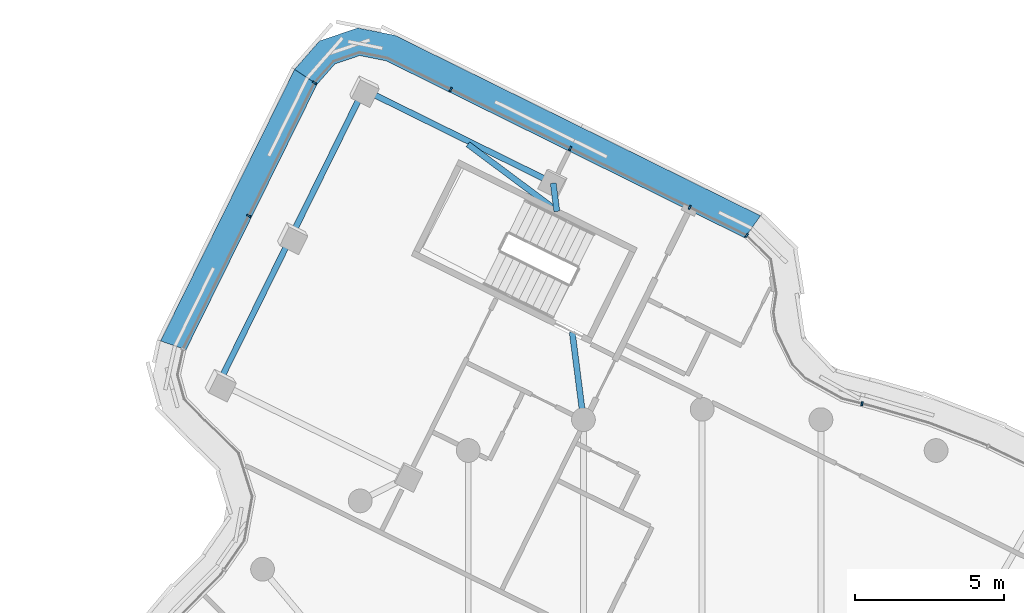
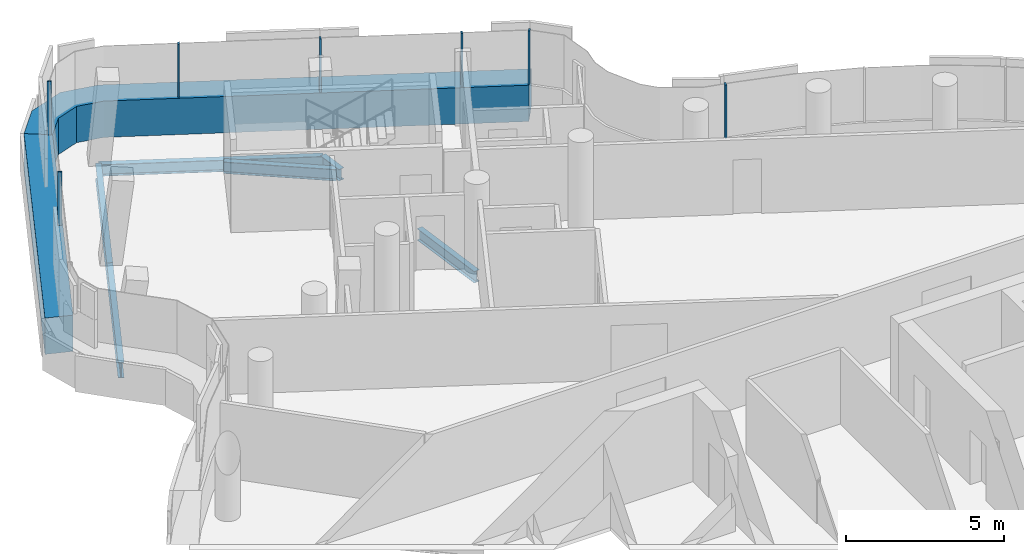
# One storey, part 10 of 21: 9 members, 6 beams, 3 elements without a shape of their own.
"""IFC4 building model written with IfcOpenShell, lengths in metres."""

import ifcopenshell
import ifcopenshell.guid

model = None  # the IFC model being written
_history = None  # IfcOwnerHistory: only IFC2X3 demands one
_inside = {}  # id of a spatial element -> (the spatial element, [elements in it])
_under = {}  # id of a project, library or spatial element -> (it, [spatial elements below it])
_declared = {}  # id of a project -> (the project, [libraries it declares])
_typed = {}  # id of a type object -> (the type object, [elements of that type])
_made_of = {}  # id of a material, layer set ... -> (it, [elements and type objects made of it])


def new_model(schema):
    """Start an empty IFC model of exactly this schema.

    Asked for "IFC4X3", IfcOpenShell would pick the latest addendum, in which some entities
    have other attributes; the version numbers below select the first issue.
    IFC2X3 requires an IfcOwnerHistory on every rooted entity: one is made here for all.
    """
    global model, _history
    if schema == "IFC4X3":
        model = ifcopenshell.file(schema_version=(4, 3, 0, 0))
    else:
        model = ifcopenshell.file(schema=schema)
    _inside.clear()
    _under.clear()
    _declared.clear()
    _typed.clear()
    _made_of.clear()
    _history = None
    if model.schema == "IFC2X3":
        org = make("IfcOrganization", Name="unknown")
        user = make(
            "IfcPersonAndOrganization",
            ThePerson=make("IfcPerson", FamilyName="unknown"),
            TheOrganization=org,
        )
        app = make(
            "IfcApplication",
            ApplicationDeveloper=org,
            Version="unknown",
            ApplicationFullName="unknown",
            ApplicationIdentifier="unknown",
        )
        _history = make(
            "IfcOwnerHistory",
            OwningUser=user,
            OwningApplication=app,
            ChangeAction="ADDED",
            CreationDate=0,
        )
    return model


def make(cls, **values):
    """One entity of the class cls with the attributes given. An attribute that is None is left unset."""
    return model.create_entity(
        cls, **{name: value for name, value in values.items() if value is not None}
    )


def rooted(cls, **values):
    """An entity with a GlobalId (a new one), such as an element, a storey or a relation."""
    return make(cls, GlobalId=ifcopenshell.guid.new(), OwnerHistory=_history, **values)


def si_unit(unit_type, name, prefix=None):
    """IfcSIUnit, for example si_unit("LENGTHUNIT", "METRE", prefix="MILLI")."""
    return make("IfcSIUnit", UnitType=unit_type, Prefix=prefix, Name=name)


def assignment(units):
    """IfcUnitAssignment: the units of a project."""
    return None if units is None else make("IfcUnitAssignment", Units=units)


def point(xyz):
    """IfcCartesianPoint."""
    return None if xyz is None else make("IfcCartesianPoint", Coordinates=xyz)


def direction(xyz):
    """IfcDirection."""
    return None if xyz is None else make("IfcDirection", DirectionRatios=xyz)


def frame(location, z_axis=None, x_axis=None):
    """IfcAxis2Placement3D, a coordinate frame: its origin and axes. An axis left out is left unset."""
    return make(
        "IfcAxis2Placement3D",
        Location=point(location),
        Axis=direction(z_axis),
        RefDirection=direction(x_axis),
    )


def frame_2d(location, x_axis=None):
    """IfcAxis2Placement2D, a coordinate frame in the plane: its origin and x axis."""
    return make(
        "IfcAxis2Placement2D", Location=point(location), RefDirection=direction(x_axis)
    )


def origin():
    """The frame at (0, 0, 0) with its axes left unset."""
    return frame((0.0, 0.0, 0.0))


def origin_2d():
    """The frame at (0, 0) in the plane with its x axis left unset."""
    return frame_2d((0.0, 0.0))


def place(relative_to, where):
    """IfcLocalPlacement: puts the frame where relative to a parent placement (None: the world)."""
    return make(
        "IfcLocalPlacement", PlacementRelTo=relative_to, RelativePlacement=where
    )


def context(
    kind, dimensions, precision=None, world=None, true_north=None, identifier=None
):
    """IfcGeometricRepresentationContext, for example the 3D "Model" context."""
    return make(
        "IfcGeometricRepresentationContext",
        ContextIdentifier=identifier,
        ContextType=kind,
        CoordinateSpaceDimension=dimensions,
        Precision=precision,
        WorldCoordinateSystem=world,
        TrueNorth=true_north,
    )


def subcontext(parent, identifier, kind, view, scale=None):
    """IfcGeometricRepresentationSubContext, for example "Body" below "Model"."""
    return make(
        "IfcGeometricRepresentationSubContext",
        ContextIdentifier=identifier,
        ContextType=kind,
        ParentContext=parent,
        TargetScale=scale,
        TargetView=view,
    )


def project(units=None, contexts=None):
    """IfcProject with its units and contexts."""
    return rooted(
        "IfcProject",
        Name="project",
        RepresentationContexts=contexts,
        UnitsInContext=assignment(units),
    )


def spatial(cls, under=None, at=None, **own):
    """A site, building, storey or space (cls), placed at a placement, below another one or the project."""
    s = rooted(cls, ObjectPlacement=at, **own)
    if under is not None:
        _under.setdefault(under.id(), (under, []))[1].append(s)
    return s


def polyline(points):
    """IfcPolyline through the points."""
    return make("IfcPolyline", Points=[point(p) for p in points])


def profile(cls, at=None, kind="AREA", **sizes):
    """A parametric profile (cls). Its sizes go by their IFC names, for example OverallWidth=200.0."""
    return make(cls, ProfileType=kind, Position=at, **sizes)


def rectangle(**sizes):
    """IfcRectangleProfileDef."""
    return profile("IfcRectangleProfileDef", **sizes)


def i_section(**sizes):
    """IfcIShapeProfileDef."""
    return profile("IfcIShapeProfileDef", **sizes)


def outline(outer, holes=None, kind="AREA"):
    """IfcArbitraryClosedProfileDef: a profile drawn as a closed curve; with holes, ...WithVoids."""
    if holes is None:
        return make("IfcArbitraryClosedProfileDef", ProfileType=kind, OuterCurve=outer)
    return make(
        "IfcArbitraryProfileDefWithVoids",
        ProfileType=kind,
        OuterCurve=outer,
        InnerCurves=holes,
    )


def extrude(swept, where, along, depth):
    """IfcExtrudedAreaSolid: the profile swept, set in the frame where, extruded along a direction by depth."""
    return make(
        "IfcExtrudedAreaSolid",
        SweptArea=swept,
        Position=where,
        ExtrudedDirection=direction(along),
        Depth=depth,
    )


def shape(context_of_items, identifier, shape_type, items):
    """IfcShapeRepresentation: the items that make up one representation, for example the "Body"."""
    return make(
        "IfcShapeRepresentation",
        ContextOfItems=context_of_items,
        RepresentationIdentifier=identifier,
        RepresentationType=shape_type,
        Items=items,
    )


def material(Name=None, Category=None):
    """IfcMaterial."""
    return make("IfcMaterial", Name=Name, Category=Category)


def layer(
    of_material, thickness, ventilated=None, Name=None, Category=None, Priority=None
):
    """IfcMaterialLayer: one layer of a wall or slab, of a material (None: an air gap)."""
    return make(
        "IfcMaterialLayer",
        Material=of_material,
        LayerThickness=thickness,
        IsVentilated=ventilated,
        Name=Name,
        Category=Category,
        Priority=Priority,
    )


def layer_set(layers, Name=None):
    """IfcMaterialLayerSet."""
    return make("IfcMaterialLayerSet", MaterialLayers=layers, LayerSetName=Name)


def material_profile(
    of_material, cross_section, Name=None, Category=None, Priority=None
):
    """IfcMaterialProfile: a cross section and its material."""
    return make(
        "IfcMaterialProfile",
        Name=Name,
        Material=of_material,
        Profile=cross_section,
        Priority=Priority,
        Category=Category,
    )


def profile_set(profiles, Name=None, composite=None):
    """IfcMaterialProfileSet."""
    return make(
        "IfcMaterialProfileSet",
        Name=Name,
        MaterialProfiles=profiles,
        CompositeProfile=composite,
    )


def made_of(thing, what):
    """Note that an element or type object is made of a material, layer set ...; save() writes the relation."""
    if what is not None:
        _made_of.setdefault(what.id(), (what, []))[1].append(thing)
    return thing


def type_object(cls, material=None, **own):
    """A type object (cls), such as IfcWallType, which elements share."""
    return made_of(rooted(cls, **own), material)


def element(
    cls,
    number,
    at=None,
    inside=None,
    cuts=None,
    type_object=None,
    material=None,
    context=None,
    identifier="Body",
    shape_type=None,
    held_by="IfcProductDefinitionShape",
    body=None,
    shapes=None,
    **own,
):
    """One element of the class cls, such as IfcWall. Its Tag is "e" and its number.

    at: its placement. inside: the storey or other place that contains it. cuts: it is an
    opening in that element (IfcRelVoidsElement). A single representation is given by context,
    identifier, shape_type and body (its items); several are given by shapes. held_by: the class
    of the entity that holds the representations. save() writes the other relations.
    """
    e = rooted(cls, Tag="e%d" % number, ObjectPlacement=at, **own)
    if body is not None:
        shapes = [shape(context, identifier, shape_type, body)]
    if shapes is not None:
        e.Representation = make(held_by, Representations=shapes)
    if inside is not None:
        _inside.setdefault(inside.id(), (inside, []))[1].append(e)
    if cuts is not None:
        rooted(
            "IfcRelVoidsElement", RelatingBuildingElement=cuts, RelatedOpeningElement=e
        )
    if type_object is not None:
        _typed.setdefault(type_object.id(), (type_object, []))[1].append(e)
    return made_of(e, material)


def aggregate(whole, parts):
    """IfcRelAggregates: a whole, such as a stair, and the parts it consists of."""
    return rooted("IfcRelAggregates", RelatingObject=whole, RelatedObjects=parts)


def save(model, path):
    """Write the relations noted so far, then the file.

    IfcRelAggregates (storeys below a building ...), IfcRelContainedInSpatialStructure (elements
    in a storey), IfcRelDefinesByType, IfcRelAssociatesMaterial and IfcRelDeclares: one each for
    every whole, place, type object, material and project.
    """
    for whole, parts in _under.values():
        aggregate(whole, parts)
    for where, things in _inside.values():
        rooted(
            "IfcRelContainedInSpatialStructure",
            RelatedElements=things,
            RelatingStructure=where,
        )
    for kind, things in _typed.values():
        rooted("IfcRelDefinesByType", RelatedObjects=things, RelatingType=kind)
    for what, things in _made_of.values():
        rooted("IfcRelAssociatesMaterial", RelatedObjects=things, RelatingMaterial=what)
    for by, libraries in _declared.values():
        rooted("IfcRelDeclares", RelatingContext=by, RelatedDefinitions=libraries)
    model.write(path)


model = new_model("IFC4")

# Units and contexts
model_context = context("Model", 3, precision=1e-05, world=origin(), true_north=direction((0.0, 1.0)))
body_context = subcontext(model_context, "Body", "Model", "MODEL_VIEW")
ifc_project = project(units=[si_unit("LENGTHUNIT", "METRE"), si_unit("AREAUNIT", "SQUARE_METRE"), si_unit("VOLUMEUNIT", "CUBIC_METRE"), si_unit("PLANEANGLEUNIT", "RADIAN"), si_unit("MASSUNIT", "GRAM", prefix="KILO")], contexts=[model_context])

# Site, building, storey
site_placement = place(None, origin())
site = spatial("IfcSite", under=ifc_project, at=site_placement, CompositionType="ELEMENT")
building_placement = place(site_placement, origin())
building = spatial("IfcBuilding", under=site, at=building_placement, Name="Tamarind Cross Interchange Tower", CompositionType="ELEMENT")
storey_placement = place(building_placement, frame((0.0, 0.0, 264.0)))
storey = spatial("IfcBuildingStorey", under=building, at=storey_placement, Name="L67", CompositionType="ELEMENT", Elevation=264.0)

# Beams
ifc_material_1 = material(Name="Steel Q355B", Category="steel")
ifc_material_profile_1 = material_profile(ifc_material_1, i_section(OverallWidth=0.198974609375, OverallDepth=0.446044921875, WebThickness=0.008056640625, FlangeThickness=0.011962890625, FilletRadius=0.012939453125, at=origin_2d()), Name="HN 446x199x8x12")
ifc_profile_set_1 = profile_set([ifc_material_profile_1], Name="Steel Q355B")
beam_type_1 = type_object("IfcBeamType", Name="Composite beam HN 446x199x8x12 Q355B", PredefinedType="BEAM", material=ifc_profile_set_1)
beam_1_placement = place(storey_placement, frame((-11.382080078125, 33.75048828125, -0.363037109375), z_axis=(0.896744088641, -0.44254947688, 0.0), x_axis=(0.44254947688, 0.896744088641, 0.0)))
element("IfcBeam", 1, at=beam_1_placement, inside=storey, type_object=beam_type_1, Name="Beam N-edgeem4", PredefinedType="BEAM", context=body_context, shape_type="SweptSolid", body=[
    extrude(i_section(OverallWidth=0.198974609375, OverallDepth=0.446044921875, WebThickness=0.008056640625, FlangeThickness=0.011962890625, FilletRadius=0.012939453125, at=origin_2d()), origin(), (0.0, 0.0, 1.0), 7.107177734375),
])
beam_2_placement = place(storey_placement, frame((-5.0087890625, 30.605224609375, -0.363037109375), z_axis=(0.126445462841, -0.991973560599, 0.0), x_axis=(0.991973560599, 0.126445462841, 0.0)))
element("IfcBeam", 2, at=beam_2_placement, inside=storey, type_object=beam_type_1, Name="Beam N-linkemt0", PredefinedType="BEAM", context=body_context, shape_type="SweptSolid", body=[
    extrude(i_section(OverallWidth=0.198974609375, OverallDepth=0.446044921875, WebThickness=0.008056640625, FlangeThickness=0.011962890625, FilletRadius=0.012939453125, at=origin_2d()), origin(), (0.0, 0.0, 1.0), 0.959716796875),
])
beam_3_placement = place(storey_placement, frame((-4.37109375, 25.60693359375, -0.363037109375), z_axis=(0.12656500108, -0.991958315909, 0.0), x_axis=(0.991958315909, 0.12656500108, 0.0)))
element("IfcBeam", 3, at=beam_3_placement, inside=storey, type_object=beam_type_1, Name="Beam N-linkemt1", PredefinedType="BEAM", context=body_context, shape_type="SweptSolid", body=[
    extrude(i_section(OverallWidth=0.198974609375, OverallDepth=0.446044921875, WebThickness=0.008056640625, FlangeThickness=0.011962890625, FilletRadius=0.012939453125, at=origin_2d()), origin(), (0.0, 0.0, 1.0), 2.980224609375),
])
beam_4_placement = place(storey_placement, frame((-5.001953125, 29.765625, -0.363037109375), z_axis=(-0.801638530853, 0.597809054675, 0.0), x_axis=(-0.597809054675, -0.801638530853, 0.0)))
element("IfcBeam", 4, at=beam_4_placement, inside=storey, type_object=beam_type_1, Name="Beam N-tr0s1", PredefinedType="BEAM", context=body_context, shape_type="SweptSolid", body=[
    extrude(i_section(OverallWidth=0.198974609375, OverallDepth=0.446044921875, WebThickness=0.008056640625, FlangeThickness=0.011962890625, FilletRadius=0.012939453125, at=origin_2d()), origin(), (0.0, 0.0, 1.0), 3.58740234375),
])
ifc_material_profile_2 = material_profile(ifc_material_1, i_section(OverallWidth=0.198974609375, OverallDepth=0.595947265625, WebThickness=0.010009765625, FlangeThickness=0.014892578125, FilletRadius=0.012939453125, at=origin_2d()), Name="HN 596x199x10x15")
ifc_profile_set_2 = profile_set([ifc_material_profile_2], Name="Steel Q355B")
beam_type_2 = type_object("IfcBeamType", Name="Composite beam HN 596x199x10x15 Q355B", PredefinedType="BEAM", material=ifc_profile_set_2)
beam_5_placement = place(storey_placement, frame((-11.382080078125, 33.75048828125, -0.43798828125), z_axis=(-0.442573224785, -0.896732368493, 0.0), x_axis=(0.896732368493, -0.442573224785, 0.0)))
element("IfcBeam", 5, at=beam_5_placement, inside=storey, type_object=beam_type_2, Name="Beam N-tip0", PredefinedType="BEAM", context=body_context, shape_type="SweptSolid", body=[
    extrude(i_section(OverallWidth=0.198974609375, OverallDepth=0.595947265625, WebThickness=0.010009765625, FlangeThickness=0.014892578125, FilletRadius=0.012939453125, at=origin_2d()), origin(), (0.0, 0.0, 1.0), 5.499755859375),
])
beam_6_placement = place(storey_placement, frame((-13.816162109375, 28.818603515625, -0.43798828125), z_axis=(-0.442555608157, -0.896741062787, 0.0), x_axis=(0.896741062787, -0.442555608157, 0.0)))
element("IfcBeam", 6, at=beam_6_placement, inside=storey, type_object=beam_type_2, Name="Beam N-tip1", PredefinedType="BEAM", context=body_context, shape_type="SweptSolid", body=[
    extrude(i_section(OverallWidth=0.198974609375, OverallDepth=0.595947265625, WebThickness=0.010009765625, FlangeThickness=0.014892578125, FilletRadius=0.012939453125, at=origin_2d()), origin(), (0.0, 0.0, 1.0), 5.5),
])

# Curtain wall, member
ifc_material_2 = material(Name="Aluminium 6063-T6", Category="aluminium")
ifc_layer = layer(ifc_material_2, 0.139892578125)
ifc_layer_set = layer_set([ifc_layer], Name="Aluminium 6063-T6")
curtain_wall_type = type_object("IfcCurtainWallType", Name="Hotel curtain wall, 4.5 m bays", PredefinedType="NOTDEFINED", material=ifc_layer_set)
curtain_wall_1_placement = place(storey_placement, origin())
curtain_wall_1 = element("IfcCurtainWall", 7, at=curtain_wall_1_placement, inside=storey, type_object=curtain_wall_type, Name="CWS-L67-00", PredefinedType="NOTDEFINED")
ifc_material_3 = material(Name="Aluminium and insulated spandrel panel", Category="aluminium")
member_type_1 = type_object("IfcMemberType", Name="Floor-edge blade transom", PredefinedType="USERDEFINED", material=ifc_material_3)
member_1_placement = place(storey_placement, origin())
member_1 = element("IfcMember", 8, at=member_1_placement, type_object=member_type_1, Name="CWT-L67-00", ObjectType="TRANSOM", PredefinedType="USERDEFINED", context=body_context, shape_type="SweptSolid", body=[
    extrude(outline(polyline([(-12.952392578125, 33.924072265625), (-17.358154296875, 24.996826171875), (-18.213623046875, 25.297119140625), (-13.70703125, 34.428466796875), (-12.952392578125, 33.924072265625)])), origin(), (0.0, 0.0, 1.0), 1.39990234375),
])

curtain_wall_2_placement = place(storey_placement, origin())
curtain_wall_2 = element("IfcCurtainWall", 9, at=curtain_wall_2_placement, inside=storey, type_object=curtain_wall_type, Name="CWS-L67-02", PredefinedType="NOTDEFINED")
member_2_placement = place(storey_placement, origin())
member_2 = element("IfcMember", 10, at=member_2_placement, type_object=member_type_1, Name="CWT-L67-02", ObjectType="TRANSOM", PredefinedType="USERDEFINED", context=body_context, shape_type="SweptSolid", body=[
    extrude(outline(polyline([(1.435302734375, 28.76318359375), (-10.622802734375, 34.714111328125), (-11.5205078125, 34.892822265625), (-12.3486328125, 34.612060546875), (-12.952392578125, 33.924072265625), (-13.70703125, 34.428466796875), (-12.8662109375, 35.386962890625), (-11.581298828125, 35.82275390625), (-10.330810546875, 35.573486328125), (1.96240234375, 29.506591796875), (1.435302734375, 28.76318359375)])), origin(), (0.0, 0.0, 1.0), 1.39990234375),
])

# Member
ifc_material_profile_3 = material_profile(ifc_material_2, rectangle(XDim=0.06005859375, YDim=0.139892578125, at=origin_2d()), Name="Mullion CW2")
ifc_profile_set_3 = profile_set([ifc_material_profile_3], Name="Aluminium 6063-T6")
member_type_2 = type_object("IfcMemberType", Name="Mullion CW2", PredefinedType="MULLION", material=ifc_profile_set_3)
member_3_placement = place(storey_placement, frame((-13.036376953125, 33.97998046875, 1.39990234375), z_axis=(0.0, 0.0, 1.0), x_axis=(-0.555819812359, -0.831302794527, 0.0)))
member_3 = element("IfcMember", 11, at=member_3_placement, type_object=member_type_2, Name="CWM-L67-00-00", PredefinedType="MULLION", context=body_context, shape_type="SweptSolid", body=[
    extrude(rectangle(XDim=0.06005859375, YDim=0.139892578125, at=origin_2d()), origin(), (0.0, 0.0, 1.0), 2.06005859375),
])

member_4_placement = place(storey_placement, frame((-15.244873046875, 29.505126953125, 1.39990234375), z_axis=(0.0, 0.0, 1.0), x_axis=(-0.442557908462, -0.896739927548, 0.0)))
member_4 = element("IfcMember", 12, at=member_4_placement, type_object=member_type_2, Name="CWM-L67-00-01", PredefinedType="MULLION", context=body_context, shape_type="SweptSolid", body=[
    extrude(rectangle(XDim=0.06005859375, YDim=0.139892578125, at=origin_2d()), origin(), (0.0, 0.0, 1.0), 2.06005859375),
])

aggregate(curtain_wall_1, [member_3, member_4, member_1])

# Curtain wall, member
curtain_wall_3_placement = place(storey_placement, origin())
curtain_wall_3 = element("IfcCurtainWall", 13, at=curtain_wall_3_placement, inside=storey, type_object=curtain_wall_type, Name="CWS-L67-01", PredefinedType="NOTDEFINED")
member_5_placement = place(storey_placement, frame((5.376220703125, 23.186279296875, 1.39990234375), z_axis=(0.0, 0.0, 1.0), x_axis=(-0.968905398163, 0.247431464068, 0.0)))
member_5 = element("IfcMember", 14, at=member_5_placement, type_object=member_type_2, Name="CWM-L67-01-29", PredefinedType="MULLION", context=body_context, shape_type="SweptSolid", body=[
    extrude(rectangle(XDim=0.06005859375, YDim=0.139892578125, at=origin_2d()), origin(), (0.0, 0.0, 1.0), 2.06005859375),
])
aggregate(curtain_wall_3, [member_5])

# Member
member_6_placement = place(storey_placement, frame((1.493896484375, 28.845703125, 1.39990234375), z_axis=(0.0, 0.0, 1.0), x_axis=(-0.815717038115, 0.578451133398, 0.0)))
member_6 = element("IfcMember", 15, at=member_6_placement, type_object=member_type_2, Name="CWM-L67-02-00", PredefinedType="MULLION", context=body_context, shape_type="SweptSolid", body=[
    extrude(rectangle(XDim=0.06005859375, YDim=0.139892578125, at=origin_2d()), origin(), (0.0, 0.0, 1.0), 2.06005859375),
])

member_7_placement = place(storey_placement, frame((-0.418701171875, 29.78955078125, 1.39990234375), z_axis=(0.0, 0.0, 1.0), x_axis=(-0.896739927548, 0.442557908462, 0.0)))
member_7 = element("IfcMember", 16, at=member_7_placement, type_object=member_type_2, Name="CWM-L67-02-01", PredefinedType="MULLION", context=body_context, shape_type="SweptSolid", body=[
    extrude(rectangle(XDim=0.06005859375, YDim=0.139892578125, at=origin_2d()), origin(), (0.0, 0.0, 1.0), 2.06005859375),
])

member_8_placement = place(storey_placement, frame((-4.4365234375, 31.7724609375, 1.39990234375), z_axis=(0.0, 0.0, 1.0), x_axis=(-0.896739927548, 0.442557908462, 0.0)))
member_8 = element("IfcMember", 17, at=member_8_placement, type_object=member_type_2, Name="CWM-L67-02-02", PredefinedType="MULLION", context=body_context, shape_type="SweptSolid", body=[
    extrude(rectangle(XDim=0.06005859375, YDim=0.139892578125, at=origin_2d()), origin(), (0.0, 0.0, 1.0), 2.06005859375),
])

member_9_placement = place(storey_placement, frame((-8.45458984375, 33.755615234375, 1.39990234375), z_axis=(0.0, 0.0, 1.0), x_axis=(-0.896739927548, 0.442557908462, 0.0)))
member_9 = element("IfcMember", 18, at=member_9_placement, type_object=member_type_2, Name="CWM-L67-02-03", PredefinedType="MULLION", context=body_context, shape_type="SweptSolid", body=[
    extrude(rectangle(XDim=0.06005859375, YDim=0.139892578125, at=origin_2d()), origin(), (0.0, 0.0, 1.0), 2.06005859375),
])

aggregate(curtain_wall_2, [member_6, member_7, member_8, member_9, member_2])

save(model, "model.ifc")
